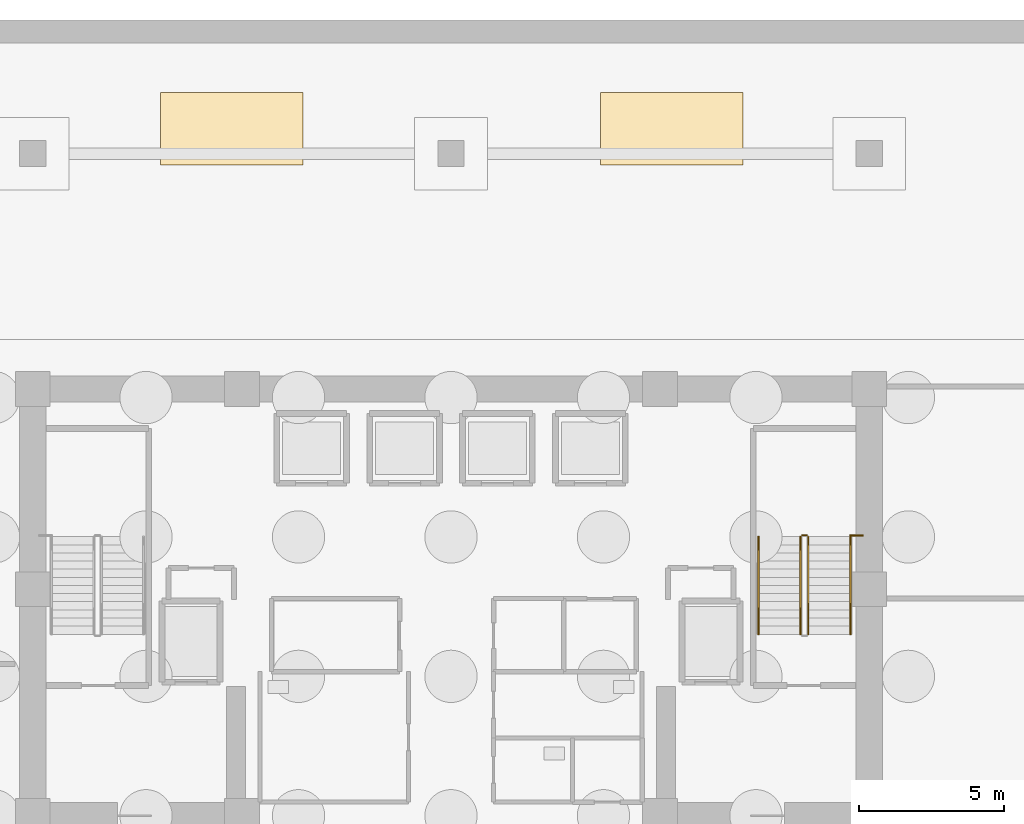
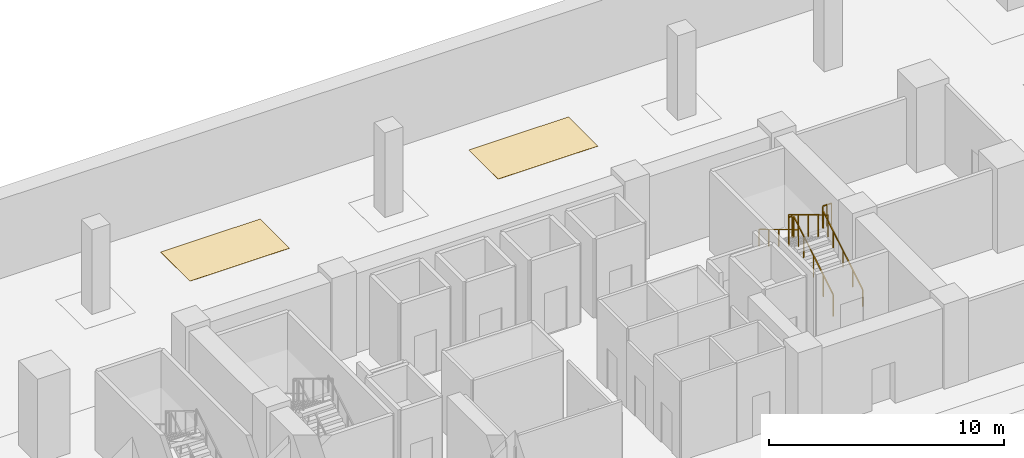
# One storey, part 11 of 13: 6 railings, 2 coverings.
"""IFC4 building model written with IfcOpenShell, lengths in metres."""

from ifc_helpers import new_model, si_unit, direction, frame, origin, origin_2d, place, context, subcontext, project, spatial, polyline, rectangle, outline, extrude, material, layer, layer_set, type_object, element, save


model = new_model("IFC4")

# Units and contexts
model_context = context("Model", 3, precision=1e-05, world=origin(), true_north=direction((0.0, 1.0)))
body_context = subcontext(model_context, "Body", "Model", "MODEL_VIEW")
ifc_project = project(units=[si_unit("LENGTHUNIT", "METRE"), si_unit("AREAUNIT", "SQUARE_METRE"), si_unit("VOLUMEUNIT", "CUBIC_METRE"), si_unit("PLANEANGLEUNIT", "RADIAN"), si_unit("MASSUNIT", "GRAM", prefix="KILO")], contexts=[model_context])

# Site, building, storey
site_placement = place(None, origin())
site = spatial("IfcSite", under=ifc_project, at=site_placement, CompositionType="ELEMENT")
building_placement = place(site_placement, origin())
building = spatial("IfcBuilding", under=site, at=building_placement, Name="Zarnakvel Exchange Tower", CompositionType="ELEMENT")
storey_placement = place(building_placement, frame((0.0, 0.0, -13.199951171875)))
storey = spatial("IfcBuildingStorey", under=building, at=storey_placement, Name="B03", CompositionType="ELEMENT", Elevation=-13.199951171875)

# Railings
ifc_material_1 = material(Name="Brushed Stainless Steel", Category="steel")
railing_type_1 = type_object("IfcRailingType", Name="HR-01", PredefinedType="HANDRAIL", material=ifc_material_1)
railing_1_placement = place(storey_placement, frame((13.75, 5.050048828125, 0.169189453125)))
element("IfcRailing", 1, at=railing_1_placement, inside=storey, type_object=railing_type_1, Name="B03 ST-02 stair handrail 1", PredefinedType="HANDRAIL", context=body_context, shape_type="SweptSolid", body=[
    extrude(rectangle(XDim=0.048095703125, YDim=0.048095703125, at=origin_2d()), frame((0.0, 0.0, 0.8759765625), z_axis=(0.0, 0.855820338506, 0.51727318527), x_axis=(-1.0, 0.0, 0.0)), (0.0, 0.0, 1.0), 3.92578125),
    extrude(rectangle(XDim=0.0419921875, YDim=0.0419921875, at=origin_2d()), origin(), (0.0, 0.0, 1.0), 0.851806640625),
    extrude(rectangle(XDim=0.0419921875, YDim=0.0419921875, at=origin_2d()), frame((0.0, 0.83984375, 0.5078125)), (0.0, 0.0, 1.0), 0.851806640625),
    extrude(rectangle(XDim=0.0419921875, YDim=0.0419921875, at=origin_2d()), frame((0.0, 1.679931640625, 1.015380859375)), (0.0, 0.0, 1.0), 0.851806640625),
    extrude(rectangle(XDim=0.0419921875, YDim=0.0419921875, at=origin_2d()), frame((0.0, 2.52001953125, 1.52294921875)), (0.0, 0.0, 1.0), 0.851806640625),
    extrude(rectangle(XDim=0.0419921875, YDim=0.0419921875, at=origin_2d()), frame((0.0, 3.35986328125, 2.03076171875)), (0.0, 0.0, 1.0), 0.851806640625),
])
railing_2_placement = place(storey_placement, frame((10.590087890625, 8.409912109375, 2.369140625)))
element("IfcRailing", 2, at=railing_2_placement, inside=storey, type_object=railing_type_1, Name="B03 ST-02 stair handrail 2", PredefinedType="HANDRAIL", context=body_context, shape_type="SweptSolid", body=[
    extrude(rectangle(XDim=0.048095703125, YDim=0.048095703125, at=origin_2d()), frame((0.0, 0.0, 0.8759765625), z_axis=(0.0, -0.855820338506, 0.51727318527), x_axis=(1.0, 0.0, 0.0)), (0.0, 0.0, 1.0), 3.92578125),
    extrude(rectangle(XDim=0.0419921875, YDim=0.0419921875, at=origin_2d()), origin(), (0.0, 0.0, 1.0), 0.851806640625),
    extrude(rectangle(XDim=0.0419921875, YDim=0.0419921875, at=origin_2d()), frame((0.0, -0.83984375, 0.5078125)), (0.0, 0.0, 1.0), 0.851806640625),
    extrude(rectangle(XDim=0.0419921875, YDim=0.0419921875, at=origin_2d()), frame((0.0, -1.679931640625, 1.015380859375)), (0.0, 0.0, 1.0), 0.851806640625),
    extrude(rectangle(XDim=0.0419921875, YDim=0.0419921875, at=origin_2d()), frame((0.0, -2.52001953125, 1.52294921875)), (0.0, 0.0, 1.0), 0.851806640625),
    extrude(rectangle(XDim=0.0419921875, YDim=0.0419921875, at=origin_2d()), frame((0.0, -3.35986328125, 2.03076171875)), (0.0, 0.0, 1.0), 0.851806640625),
])

# Coverings
ifc_material_2 = material(Name="Thermoplastic Acrylic Bay Marking", Category="finish")
ifc_layer = layer(ifc_material_2, 0.010009765625)
ifc_layer_set = layer_set([ifc_layer], Name="Thermoplastic Acrylic Bay Marking")
covering_type = type_object("IfcCoveringType", Name="MK-01", PredefinedType="FLOORING", material=ifc_layer_set)
covering_1_placement = place(storey_placement, origin())
element("IfcCovering", 3, at=covering_1_placement, inside=storey, type_object=covering_type, Name="B03 Standard Parking Bay Marking B03-36", PredefinedType="FLOORING", context=body_context, shape_type="SweptSolid", body=[
    extrude(outline(polyline([(-10.0, 21.199951171875), (-5.10009765625, 21.199951171875), (-5.10009765625, 23.699951171875), (-10.0, 23.699951171875), (-10.0, 21.199951171875)])), origin(), (0.0, 0.0, 1.0), 0.010009765625),
])
covering_2_placement = place(storey_placement, origin())
element("IfcCovering", 4, at=covering_2_placement, inside=storey, type_object=covering_type, Name="B03 Standard Parking Bay Marking B03-37", PredefinedType="FLOORING", context=body_context, shape_type="SweptSolid", body=[
    extrude(outline(polyline([(5.14990234375, 21.199951171875), (10.050048828125, 21.199951171875), (10.050048828125, 23.699951171875), (5.14990234375, 23.699951171875), (5.14990234375, 21.199951171875)])), origin(), (0.0, 0.0, 1.0), 0.010009765625),
])

# Railings
ifc_material_3 = material(Name="Architectural Bronze Anodised Aluminium", Category="aluminium")
railing_type_2 = type_object("IfcRailingType", Name="SG-01", PredefinedType="GUARDRAIL", material=ifc_material_3)
railing_3_placement = place(storey_placement, frame((12.300048828125, 5.050048828125, 0.169189453125)))
element("IfcRailing", 5, at=railing_3_placement, inside=storey, type_object=railing_type_2, Name="B03 ST-02 stair guard 1", PredefinedType="GUARDRAIL", context=body_context, shape_type="SweptSolid", body=[
    extrude(rectangle(XDim=0.048095703125, YDim=0.048095703125, at=origin_2d()), frame((0.0, 0.0, 1.1259765625), z_axis=(0.0, 0.855820338506, 0.51727318527), x_axis=(-1.0, 0.0, 0.0)), (0.0, 0.0, 1.0), 3.92578125),
    extrude(rectangle(XDim=0.0419921875, YDim=0.0419921875, at=origin_2d()), origin(), (0.0, 0.0, 1.0), 1.101806640625),
    extrude(rectangle(XDim=0.0419921875, YDim=0.0419921875, at=origin_2d()), frame((0.0, 0.83984375, 0.5078125)), (0.0, 0.0, 1.0), 1.101806640625),
    extrude(rectangle(XDim=0.0419921875, YDim=0.0419921875, at=origin_2d()), frame((0.0, 1.679931640625, 1.015380859375)), (0.0, 0.0, 1.0), 1.101806640625),
    extrude(rectangle(XDim=0.0419921875, YDim=0.0419921875, at=origin_2d()), frame((0.0, 2.52001953125, 1.52294921875)), (0.0, 0.0, 1.0), 1.101806640625),
    extrude(rectangle(XDim=0.0419921875, YDim=0.0419921875, at=origin_2d()), frame((0.0, 3.35986328125, 2.03076171875)), (0.0, 0.0, 1.0), 1.101806640625),
])
railing_4_placement = place(storey_placement, frame((12.25, 8.4599609375, 2.199951171875)))
element("IfcRailing", 6, at=railing_4_placement, inside=storey, type_object=railing_type_2, Name="B03 ST-02 stair guard 2", PredefinedType="GUARDRAIL", context=body_context, shape_type="SweptSolid", body=[
    extrude(rectangle(XDim=0.048095703125, YDim=0.048095703125, at=origin_2d()), frame((0.0, 0.0, 1.1259765625), z_axis=(-1.0, 0.0, 0.0), x_axis=(0.0, -1.0, 0.0)), (0.0, 0.0, 1.0), 0.159912109375),
    extrude(rectangle(XDim=0.0419921875, YDim=0.0419921875, at=origin_2d()), origin(), (0.0, 0.0, 1.0), 1.101806640625),
    extrude(rectangle(XDim=0.0419921875, YDim=0.0419921875, at=origin_2d()), frame((-0.159912109375, 0.0, 0.0)), (0.0, 0.0, 1.0), 1.101806640625),
])
railing_5_placement = place(storey_placement, frame((12.0400390625, 8.409912109375, 2.369140625)))
element("IfcRailing", 7, at=railing_5_placement, inside=storey, type_object=railing_type_2, Name="B03 ST-02 stair guard 3", PredefinedType="GUARDRAIL", context=body_context, shape_type="SweptSolid", body=[
    extrude(rectangle(XDim=0.048095703125, YDim=0.048095703125, at=origin_2d()), frame((0.0, 0.0, 1.1259765625), z_axis=(0.0, -0.855820338506, 0.51727318527), x_axis=(1.0, 0.0, 0.0)), (0.0, 0.0, 1.0), 3.92578125),
    extrude(rectangle(XDim=0.0419921875, YDim=0.0419921875, at=origin_2d()), origin(), (0.0, 0.0, 1.0), 1.101806640625),
    extrude(rectangle(XDim=0.0419921875, YDim=0.0419921875, at=origin_2d()), frame((0.0, -0.83984375, 0.5078125)), (0.0, 0.0, 1.0), 1.101806640625),
    extrude(rectangle(XDim=0.0419921875, YDim=0.0419921875, at=origin_2d()), frame((0.0, -1.679931640625, 1.015380859375)), (0.0, 0.0, 1.0), 1.101806640625),
    extrude(rectangle(XDim=0.0419921875, YDim=0.0419921875, at=origin_2d()), frame((0.0, -2.52001953125, 1.52294921875)), (0.0, 0.0, 1.0), 1.101806640625),
    extrude(rectangle(XDim=0.0419921875, YDim=0.0419921875, at=origin_2d()), frame((0.0, -3.35986328125, 2.03076171875)), (0.0, 0.0, 1.0), 1.101806640625),
])
railing_6_placement = place(storey_placement, frame((13.75, 8.449951171875, 2.199951171875)))
element("IfcRailing", 8, at=railing_6_placement, inside=storey, type_object=railing_type_2, Name="B03 ST-02 Landing Slot Guardrail", PredefinedType="GUARDRAIL", context=body_context, shape_type="SweptSolid", body=[
    extrude(rectangle(XDim=0.048095703125, YDim=0.048095703125, at=origin_2d()), frame((0.0, 0.0, 1.1259765625), z_axis=(1.0, 0.0, 0.0), x_axis=(0.0, 1.0, 0.0)), (0.0, 0.0, 1.0), 0.429931640625),
    extrude(rectangle(XDim=0.0419921875, YDim=0.0419921875, at=origin_2d()), origin(), (0.0, 0.0, 1.0), 1.101806640625),
    extrude(rectangle(XDim=0.0419921875, YDim=0.0419921875, at=origin_2d()), frame((0.21484375, 0.0, 0.0)), (0.0, 0.0, 1.0), 1.101806640625),
    extrude(rectangle(XDim=0.0419921875, YDim=0.0419921875, at=origin_2d()), frame((0.429931640625, 0.0, 0.0)), (0.0, 0.0, 1.0), 1.101806640625),
])

save(model, "model.ifc")
